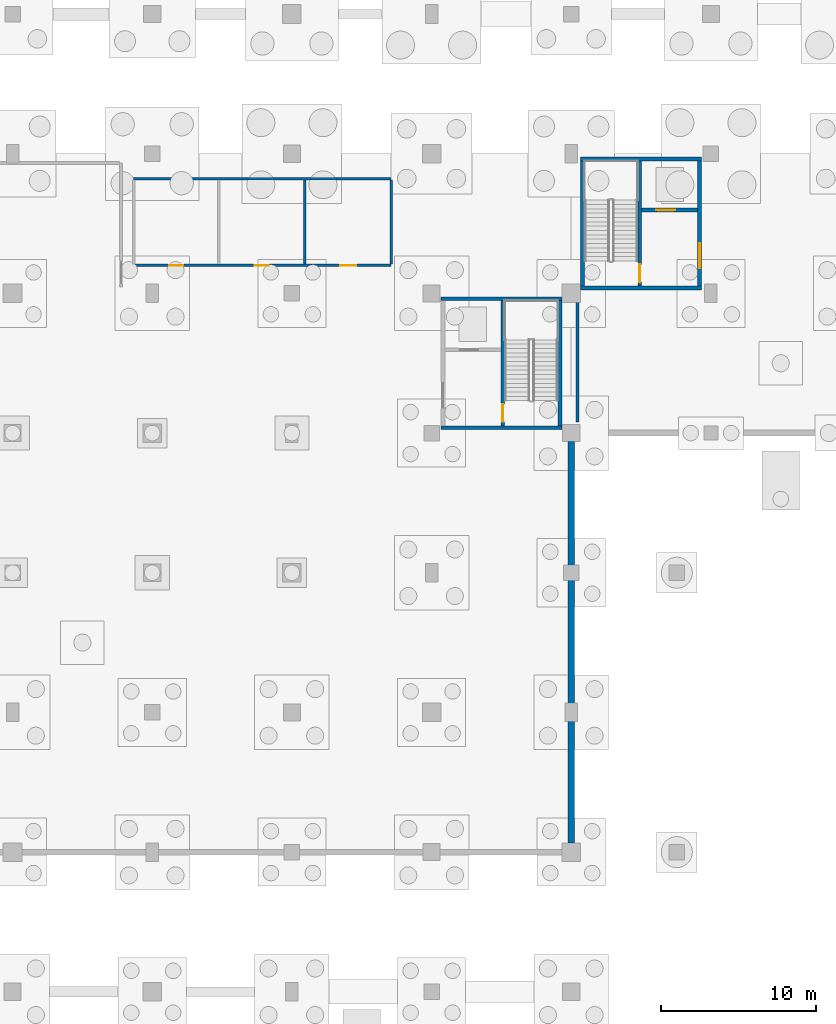
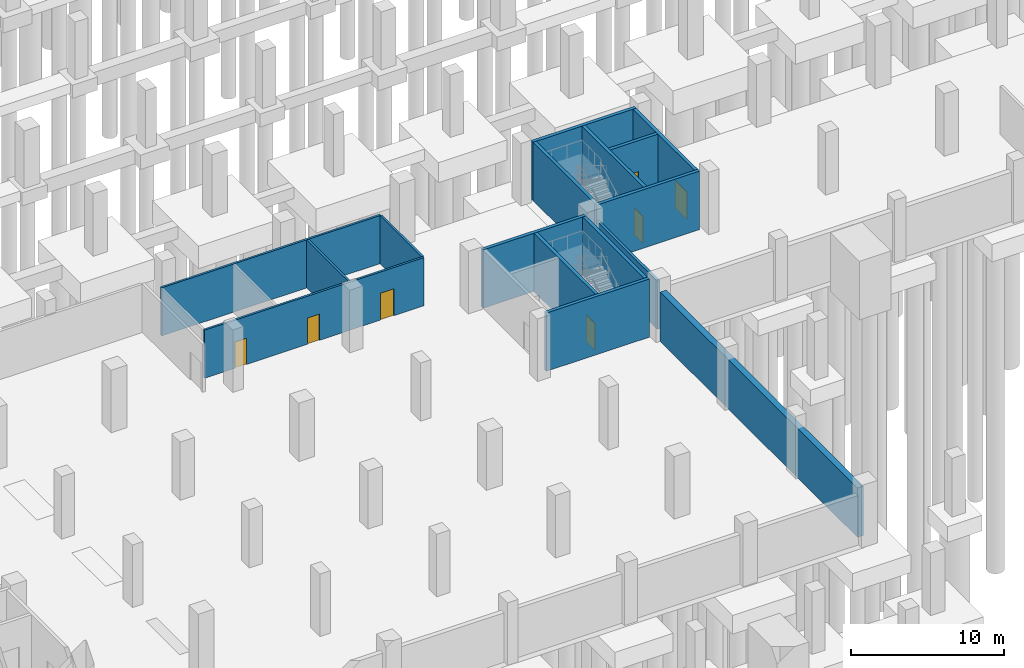
# One storey, part 16 of 37: 16 walls, 7 doors, 7 openings.
"""IFC4 building model written with IfcOpenShell, lengths in metres."""

from ifc_helpers import new_model, si_unit, direction, frame, frame_2d, origin, place, context, subcontext, project, spatial, rectangle, extrude, material, layer, layer_set, type_object, element, fill, save


model = new_model("IFC4")

# Units and contexts
model_context = context("Model", 3, precision=1e-05, world=origin(), true_north=direction((0.0, 1.0)))
body_context = subcontext(model_context, "Body", "Model", "MODEL_VIEW")
ifc_project = project(units=[si_unit("LENGTHUNIT", "METRE"), si_unit("AREAUNIT", "SQUARE_METRE"), si_unit("VOLUMEUNIT", "CUBIC_METRE"), si_unit("PLANEANGLEUNIT", "RADIAN"), si_unit("MASSUNIT", "GRAM", prefix="KILO")], contexts=[model_context])

# Site, building, storey
site_placement = place(None, origin())
site = spatial("IfcSite", under=ifc_project, at=site_placement, CompositionType="ELEMENT")
building_placement = place(site_placement, origin())
building = spatial("IfcBuilding", under=site, at=building_placement, Name="Barlavento Convention Centre", CompositionType="ELEMENT")
storey_placement = place(building_placement, frame((0.0, 0.0, -5.0)))
storey = spatial("IfcBuildingStorey", under=building, at=storey_placement, Name="B1", CompositionType="ELEMENT", Elevation=-5.0)

# Wall
ifc_material_1 = material(Name="Concrete C40/50", Category="concrete")
ifc_layer_1 = layer(ifc_material_1, 0.199951171875)
ifc_layer_set_1 = layer_set([ifc_layer_1], Name="ARC-WL-FIRE-200")
wall_type_1 = type_object("IfcWallType", Name="ARC-WL-FIRE-200", PredefinedType="SOLIDWALL", material=ifc_layer_set_1)
wall_1_placement = place(storey_placement, frame((63.39990234375, 36.719970703125, 0.0), z_axis=(0.0, 0.0, 1.0), x_axis=(0.0, 1.0, 0.0)))
element("IfcWall", 1, at=wall_1_placement, inside=storey, type_object=wall_type_1, Name="B1 interior wall FW-01", PredefinedType="SOLIDWALL", context=body_context, shape_type="SweptSolid", body=[
    extrude(rectangle(XDim=7.9599609375, YDim=0.199951171875, at=frame_2d((3.97998046875, 0.0))), origin(), (0.0, 0.0, 1.0), 3.85009765625),
])

# Wall, openings, doors
ifc_material_2 = material(Name="Sanitary service chase plumbing wall")
ifc_layer_2 = layer(ifc_material_2, 0.159912109375)
ifc_layer_set_2 = layer_set([ifc_layer_2], Name="ARC-WL-PLMB-160")
wall_type_2 = type_object("IfcWallType", Name="ARC-WL-PLMB-160", PredefinedType="PLUMBINGWALL", material=ifc_layer_set_2)
wall_2_placement = place(storey_placement, frame((34.800048828125, 46.800048828125, 0.0), z_axis=(0.0, 0.0, 1.0), x_axis=(1.0, 0.0, 0.0)))
wall_2 = element("IfcWall", 2, at=wall_2_placement, inside=storey, type_object=wall_type_2, Name="B1 interior wall PW-03", PredefinedType="PLUMBINGWALL", context=body_context, shape_type="SweptSolid", body=[
    extrude(rectangle(XDim=16.599853515625, YDim=0.159912109375, at=frame_2d((8.2998046875, 0.0))), origin(), (0.0, 0.0, 1.0), 3.85009765625),
])
opening_1_placement = place(wall_2_placement, frame((2.2900390625, 0.0, 0.0)))
opening_1 = element("IfcOpeningElement", 3, at=opening_1_placement, cuts=wall_2, Name="Opening ID-10", PredefinedType="OPENING", context=body_context, shape_type="SweptSolid", body=[
    extrude(rectangle(XDim=0.89990234375, YDim=2.10009765625, at=frame_2d((0.449951171875, 1.050048828125))), frame((0.0, 0.08984375, 0.0), z_axis=(0.0, -1.0, 0.0), x_axis=(1.0, 0.0, 0.0)), (0.0, 0.0, 1.0), 0.179931640625),
])
opening_2_placement = place(wall_2_placement, frame((7.81005859375, 0.0, 0.0)))
opening_2 = element("IfcOpeningElement", 4, at=opening_2_placement, cuts=wall_2, Name="Opening ID-10", PredefinedType="OPENING", context=body_context, shape_type="SweptSolid", body=[
    extrude(rectangle(XDim=0.89990234375, YDim=2.10009765625, at=frame_2d((0.449951171875, 1.050048828125))), frame((0.0, 0.08984375, 0.0), z_axis=(0.0, -1.0, 0.0), x_axis=(1.0, 0.0, 0.0)), (0.0, 0.0, 1.0), 0.179931640625),
])
opening_3_placement = place(wall_2_placement, frame((13.300048828125, 0.0, 0.0)))
opening_3 = element("IfcOpeningElement", 5, at=opening_3_placement, cuts=wall_2, Name="Opening ID-11", PredefinedType="OPENING", context=body_context, shape_type="SweptSolid", body=[
    extrude(rectangle(XDim=1.0400390625, YDim=2.14990234375, at=frame_2d((0.52001953125, 1.074951171875))), frame((0.0, 0.08984375, 0.0), z_axis=(0.0, -1.0, 0.0), x_axis=(1.0, 0.0, 0.0)), (0.0, 0.0, 1.0), 0.179931640625),
])
ifc_material_3 = material(Name="Timber veneer acoustic core", Category="wood")
door_type_1 = type_object("IfcDoorType", Name="ARC-DR-AWC-1040X2150", OperationType="NOTDEFINED", PredefinedType="DOOR", material=ifc_material_3)
door_1_placement = place(opening_3_placement, origin())
door_1 = element("IfcDoor", 6, at=door_1_placement, inside=storey, type_object=door_type_1, Name="DR-INT-B1-0186 B1 Accessible Unisex WC entry door", OperationType="SINGLE_SWING_RIGHT", OverallHeight=2.14990234375, OverallWidth=1.0400390625, PredefinedType="DOOR", context=body_context, shape_type="SweptSolid", body=[
    extrude(rectangle(XDim=1.0400390625, YDim=2.14990234375, at=frame_2d((0.52001953125, 1.074951171875))), frame((0.0, 0.02490234375, 0.0), z_axis=(0.0, -1.0, 0.0), x_axis=(1.0, 0.0, 0.0)), (0.0, 0.0, 1.0), 0.050048828125),
])
fill(opening_3, door_1)
door_type_2 = type_object("IfcDoorType", Name="ARC-DR-WC-900X2100", OperationType="NOTDEFINED", PredefinedType="DOOR", material=ifc_material_3)
door_2_placement = place(opening_1_placement, origin())
door_2 = element("IfcDoor", 7, at=door_2_placement, inside=storey, type_object=door_type_2, Name="DR-INT-B1-0184 B1 Male Staff WC entry door", OperationType="SINGLE_SWING_RIGHT", OverallHeight=2.10009765625, OverallWidth=0.89990234375, PredefinedType="DOOR", context=body_context, shape_type="SweptSolid", body=[
    extrude(rectangle(XDim=0.89990234375, YDim=2.10009765625, at=frame_2d((0.449951171875, 1.050048828125))), frame((0.0, 0.02490234375, 0.0), z_axis=(0.0, -1.0, 0.0), x_axis=(1.0, 0.0, 0.0)), (0.0, 0.0, 1.0), 0.050048828125),
])
fill(opening_1, door_2)
door_3_placement = place(opening_2_placement, origin())
door_3 = element("IfcDoor", 8, at=door_3_placement, inside=storey, type_object=door_type_2, Name="DR-INT-B1-0185 B1 Female Staff WC entry door", OperationType="SINGLE_SWING_LEFT", OverallHeight=2.10009765625, OverallWidth=0.89990234375, PredefinedType="DOOR", context=body_context, shape_type="SweptSolid", body=[
    extrude(rectangle(XDim=0.89990234375, YDim=2.10009765625, at=frame_2d((0.449951171875, 1.050048828125))), frame((0.0, 0.02490234375, 0.0), z_axis=(0.0, -1.0, 0.0), x_axis=(1.0, 0.0, 0.0)), (0.0, 0.0, 1.0), 0.050048828125),
])
fill(opening_2, door_3)

# Walls
wall_3_placement = place(storey_placement, frame((34.800048828125, 52.39990234375, 0.0), z_axis=(0.0, 0.0, 1.0), x_axis=(1.0, 0.0, 0.0)))
element("IfcWall", 9, at=wall_3_placement, inside=storey, type_object=wall_type_2, Name="B1 interior wall PW-03", PredefinedType="PLUMBINGWALL", context=body_context, shape_type="SweptSolid", body=[
    extrude(rectangle(XDim=16.599853515625, YDim=0.159912109375, at=frame_2d((8.2998046875, 0.0))), origin(), (0.0, 0.0, 1.0), 3.85009765625),
])
for number, where, z_axis, x_axis, name in (
    (10, (45.840087890625, 46.887939453125, 0.0), (0.0, 0.0, 1.0), (0.0, 1.0, 0.0), "B1 interior wall PW-03"),
    (11, (51.39990234375, 46.887939453125, 0.0), (0.0, 0.0, 1.0), (0.0, 1.0, 0.0), "B1 interior wall PW-03"),
):
    element("IfcWall", number, at=place(storey_placement, frame(where, z_axis=z_axis, x_axis=x_axis)), inside=storey, type_object=wall_type_2, Name=name, PredefinedType="PLUMBINGWALL", context=body_context, shape_type="SweptSolid", body=[
        extrude(rectangle(XDim=5.424072265625, YDim=0.159912109375, at=frame_2d((2.7119140625, 0.0))), origin(), (0.0, 0.0, 1.0), 3.85009765625),
    ])
ifc_material_4 = material(Name="Concrete C50/60", Category="concrete")
ifc_layer_3 = layer(ifc_material_4, 0.25)
ifc_layer_set_3 = layer_set([ifc_layer_3], Name="STR-WL-CORE-250")
wall_type_3 = type_object("IfcWallType", Name="STR-WL-CORE-250", PredefinedType="SHEAR", material=ifc_layer_set_3)
wall_4_placement = place(storey_placement, frame((62.27490234375, 36.469970703125, 0.0), z_axis=(0.0, 0.0, 1.0), x_axis=(0.0, 1.0, 0.0)))
element("IfcWall", 12, at=wall_4_placement, inside=storey, type_object=wall_type_3, Name="B1 interior wall CW-02", PredefinedType="SHEAR", context=body_context, shape_type="SweptSolid", body=[
    extrude(rectangle(XDim=8.06005859375, YDim=0.25, at=frame_2d((4.030029296875, 0.0))), origin(), (0.0, 0.0, 1.0), 4.659912109375),
])
for number, where, z_axis, x_axis, name in (
    (13, (54.60009765625, 36.344970703125, 0.0), (0.0, 0.0, 1.0), (1.0, 0.0, 0.0), "B1 interior wall CW-02"),
    (14, (54.60009765625, 44.655029296875, 0.0), (0.0, 0.0, 1.0), (1.0, 0.0, 0.0), "B1 interior wall CW-02"),
):
    element("IfcWall", number, at=place(storey_placement, frame(where, z_axis=z_axis, x_axis=x_axis)), inside=storey, type_object=wall_type_3, Name=name, PredefinedType="SHEAR", context=body_context, shape_type="SweptSolid", body=[
        extrude(rectangle(XDim=7.7998046875, YDim=0.25, at=frame_2d((3.89990234375, 0.0))), origin(), (0.0, 0.0, 1.0), 4.659912109375),
    ])

# Wall, opening, door
wall_5_placement = place(storey_placement, frame((58.5849609375, 36.469970703125, 0.0), z_axis=(0.0, 0.0, 1.0), x_axis=(0.0, 1.0, 0.0)))
wall_5 = element("IfcWall", 15, at=wall_5_placement, inside=storey, type_object=wall_type_3, Name="B1 interior wall CW-02", PredefinedType="SHEAR", context=body_context, shape_type="SweptSolid", body=[
    extrude(rectangle(XDim=8.06005859375, YDim=0.25, at=frame_2d((4.030029296875, 0.0))), origin(), (0.0, 0.0, 1.0), 4.659912109375),
])
opening_4_placement = place(wall_5_placement, frame((0.25, 0.0, 0.0)))
opening_4 = element("IfcOpeningElement", 16, at=opening_4_placement, cuts=wall_5, Name="Opening FD-03", PredefinedType="OPENING", context=body_context, shape_type="SweptSolid", body=[
    extrude(rectangle(XDim=1.14990234375, YDim=2.14990234375, at=frame_2d((0.574951171875, 1.074951171875))), frame((0.0, 0.135009765625, 0.0), z_axis=(0.0, -1.0, 0.0), x_axis=(1.0, 0.0, 0.0)), (0.0, 0.0, 1.0), 0.27001953125),
])
ifc_material_5 = material(Name="Painted galvanized steel", Category="steel")
door_type_3 = type_object("IfcDoorType", Name="ARC-DR-FIRE-1150X2150", OperationType="NOTDEFINED", PredefinedType="DOOR", material=ifc_material_5)
door_4_placement = place(opening_4_placement, origin())
door_4 = element("IfcDoor", 17, at=door_4_placement, inside=storey, type_object=door_type_3, Name="DR-INT-B1-0013 B1 ST02 stair fire door FD-03", OperationType="SINGLE_SWING_LEFT", OverallHeight=2.14990234375, OverallWidth=1.14990234375, PredefinedType="DOOR", context=body_context, shape_type="SweptSolid", body=[
    extrude(rectangle(XDim=1.14990234375, YDim=2.14990234375, at=frame_2d((0.574951171875, 1.074951171875))), frame((0.0, 0.02490234375, 0.0), z_axis=(0.0, -1.0, 0.0), x_axis=(1.0, 0.0, 0.0)), (0.0, 0.0, 1.0), 0.050048828125),
])
fill(opening_4, door_4)

# Wall
wall_6_placement = place(storey_placement, frame((63.72509765625, 45.469970703125, 0.0), z_axis=(0.0, 0.0, 1.0), x_axis=(0.0, 1.0, 0.0)))
element("IfcWall", 18, at=wall_6_placement, inside=storey, type_object=wall_type_3, Name="B1 interior wall CW-02", PredefinedType="SHEAR", context=body_context, shape_type="SweptSolid", body=[
    extrude(rectangle(XDim=8.06005859375, YDim=0.25, at=frame_2d((4.030029296875, 0.0))), origin(), (0.0, 0.0, 1.0), 4.679931640625),
])

# Wall, opening, door
wall_7_placement = place(storey_placement, frame((71.27490234375, 45.469970703125, 0.0), z_axis=(0.0, 0.0, 1.0), x_axis=(0.0, 1.0, 0.0)))
wall_7 = element("IfcWall", 19, at=wall_7_placement, inside=storey, type_object=wall_type_3, Name="B1 interior wall CW-02", PredefinedType="SHEAR", context=body_context, shape_type="SweptSolid", body=[
    extrude(rectangle(XDim=8.06005859375, YDim=0.25, at=frame_2d((4.030029296875, 0.0))), origin(), (0.0, 0.0, 1.0), 4.679931640625),
])
opening_5_placement = place(wall_7_placement, frame((1.14990234375, 0.0, 0.0)))
opening_5 = element("IfcOpeningElement", 20, at=opening_5_placement, cuts=wall_7, Name="Opening FD-02", PredefinedType="OPENING", context=body_context, shape_type="SweptSolid", body=[
    extrude(rectangle(XDim=1.60009765625, YDim=2.199951171875, at=frame_2d((0.800048828125, 1.10009765625))), frame((0.0, 0.135009765625, 0.0), z_axis=(0.0, -1.0, 0.0), x_axis=(1.0, 0.0, 0.0)), (0.0, 0.0, 1.0), 0.27001953125),
])
door_type_4 = type_object("IfcDoorType", Name="ARC-DR-FIRE-1600X2200", OperationType="DOUBLE_DOOR_SINGLE_SWING", PredefinedType="DOOR", material=ifc_material_5)
door_5_placement = place(opening_5_placement, origin())
door_5 = element("IfcDoor", 21, at=door_5_placement, inside=storey, type_object=door_type_4, Name="DR-INT-B1-0027 B1 LP2 lobby fire door", OperationType="DOUBLE_DOOR_SINGLE_SWING", OverallHeight=2.199951171875, OverallWidth=1.60009765625, PredefinedType="DOOR", context=body_context, shape_type="SweptSolid", body=[
    extrude(rectangle(XDim=1.60009765625, YDim=2.199951171875, at=frame_2d((0.800048828125, 1.10009765625))), frame((0.0, 0.02490234375, 0.0), z_axis=(0.0, -1.0, 0.0), x_axis=(1.0, 0.0, 0.0)), (0.0, 0.0, 1.0), 0.050048828125),
])
fill(opening_5, door_5)

# Walls
for number, where, z_axis, x_axis, name in (
    (22, (63.60009765625, 45.344970703125, 0.0), (0.0, 0.0, 1.0), (1.0, 0.0, 0.0), "B1 interior wall CW-02"),
    (23, (63.60009765625, 53.655029296875, 0.0), (0.0, 0.0, 1.0), (1.0, 0.0, 0.0), "B1 interior wall CW-02"),
):
    element("IfcWall", number, at=place(storey_placement, frame(where, z_axis=z_axis, x_axis=x_axis)), inside=storey, type_object=wall_type_3, Name=name, PredefinedType="SHEAR", context=body_context, shape_type="SweptSolid", body=[
        extrude(rectangle(XDim=7.7998046875, YDim=0.25, at=frame_2d((3.89990234375, 0.0))), origin(), (0.0, 0.0, 1.0), 4.679931640625),
    ])

# Wall, opening, door
wall_8_placement = place(storey_placement, frame((67.4150390625, 45.469970703125, 0.0), z_axis=(0.0, 0.0, 1.0), x_axis=(0.0, 1.0, 0.0)))
wall_8 = element("IfcWall", 24, at=wall_8_placement, inside=storey, type_object=wall_type_3, Name="B1 interior wall CW-02", PredefinedType="SHEAR", context=body_context, shape_type="SweptSolid", body=[
    extrude(rectangle(XDim=8.06005859375, YDim=0.25, at=frame_2d((4.030029296875, 0.0))), origin(), (0.0, 0.0, 1.0), 4.679931640625),
])
opening_6_placement = place(wall_8_placement, frame((0.25, 0.0, 0.0)))
opening_6 = element("IfcOpeningElement", 25, at=opening_6_placement, cuts=wall_8, Name="Opening FD-03", PredefinedType="OPENING", context=body_context, shape_type="SweptSolid", body=[
    extrude(rectangle(XDim=1.14990234375, YDim=2.14990234375, at=frame_2d((0.574951171875, 1.074951171875))), frame((0.0, 0.135009765625, 0.0), z_axis=(0.0, -1.0, 0.0), x_axis=(1.0, 0.0, 0.0)), (0.0, 0.0, 1.0), 0.27001953125),
])
door_6_placement = place(opening_6_placement, origin())
door_6 = element("IfcDoor", 26, at=door_6_placement, inside=storey, type_object=door_type_3, Name="DR-INT-B1-0025 B1 ST03 stair fire door FD-03", OperationType="SINGLE_SWING_LEFT", OverallHeight=2.14990234375, OverallWidth=1.14990234375, PredefinedType="DOOR", context=body_context, shape_type="SweptSolid", body=[
    extrude(rectangle(XDim=1.14990234375, YDim=2.14990234375, at=frame_2d((0.574951171875, 1.074951171875))), frame((0.0, 0.02490234375, 0.0), z_axis=(0.0, -1.0, 0.0), x_axis=(1.0, 0.0, 0.0)), (0.0, 0.0, 1.0), 0.050048828125),
])
fill(opening_6, door_6)

wall_9_placement = place(storey_placement, frame((67.5400390625, 50.3701171875, 0.0), z_axis=(0.0, 0.0, 1.0), x_axis=(1.0, 0.0, 0.0)))
wall_9 = element("IfcWall", 27, at=wall_9_placement, inside=storey, type_object=wall_type_3, Name="B1 interior wall CW-02", PredefinedType="SHEAR", context=body_context, shape_type="SweptSolid", body=[
    extrude(rectangle(XDim=3.60986328125, YDim=0.25, at=frame_2d((1.804931640625, 0.0))), origin(), (0.0, 0.0, 1.0), 4.679931640625),
])
opening_7_placement = place(wall_9_placement, frame((0.949951171875, 0.0, 0.0)))
opening_7 = element("IfcOpeningElement", 28, at=opening_7_placement, cuts=wall_9, Name="Opening LD-01", PredefinedType="OPENING", context=body_context, shape_type="SweptSolid", body=[
    extrude(rectangle(XDim=1.199951171875, YDim=2.199951171875, at=frame_2d((0.60009765625, 1.10009765625))), frame((0.0, 0.135009765625, 0.0), z_axis=(0.0, -1.0, 0.0), x_axis=(1.0, 0.0, 0.0)), (0.0, 0.0, 1.0), 0.27001953125),
])
ifc_material_6 = material(Name="Brushed stainless steel", Category="steel")
door_type_5 = type_object("IfcDoorType", Name="ARC-DR-LIFT-1200X2200", OperationType="DOUBLE_DOOR_SLIDING", PredefinedType="DOOR", material=ifc_material_6)
door_7_placement = place(opening_7_placement, origin())
door_7 = element("IfcDoor", 29, at=door_7_placement, inside=storey, type_object=door_type_5, Name="DR-INT-B1-0026 LP2 lift sliding landing door", OperationType="DOUBLE_DOOR_SLIDING", OverallHeight=2.199951171875, OverallWidth=1.199951171875, PredefinedType="DOOR", context=body_context, shape_type="SweptSolid", body=[
    extrude(rectangle(XDim=1.199951171875, YDim=2.199951171875, at=frame_2d((0.60009765625, 1.10009765625))), frame((0.0, 0.02490234375, 0.0), z_axis=(0.0, -1.0, 0.0), x_axis=(1.0, 0.0, 0.0)), (0.0, 0.0, 1.0), 0.050048828125),
])
fill(opening_7, door_7)

# Wall
ifc_layer_4 = layer(ifc_material_1, 0.449951171875)
ifc_layer_set_4 = layer_set([ifc_layer_4], Name="STR-WL-RET-450")
wall_type_4 = type_object("IfcWallType", Name="STR-WL-RET-450", PredefinedType="SHEAR", material=ifc_layer_set_4)
wall_10_placement = place(storey_placement, frame((63.0, 9.594970703125, 0.0), z_axis=(0.0, 0.0, 1.0), x_axis=(0.0, 1.0, 0.0)))
element("IfcWall", 30, at=wall_10_placement, inside=storey, type_object=wall_type_4, Name="B1 exterior wall RW01", PredefinedType="SHEAR", context=body_context, shape_type="SweptSolid", body=[
    extrude(rectangle(XDim=25.860107421875, YDim=0.449951171875, at=frame_2d((12.93017578125, 0.0))), origin(), (0.0, 0.0, 1.0), 3.949951171875),
])

save(model, "model.ifc")
